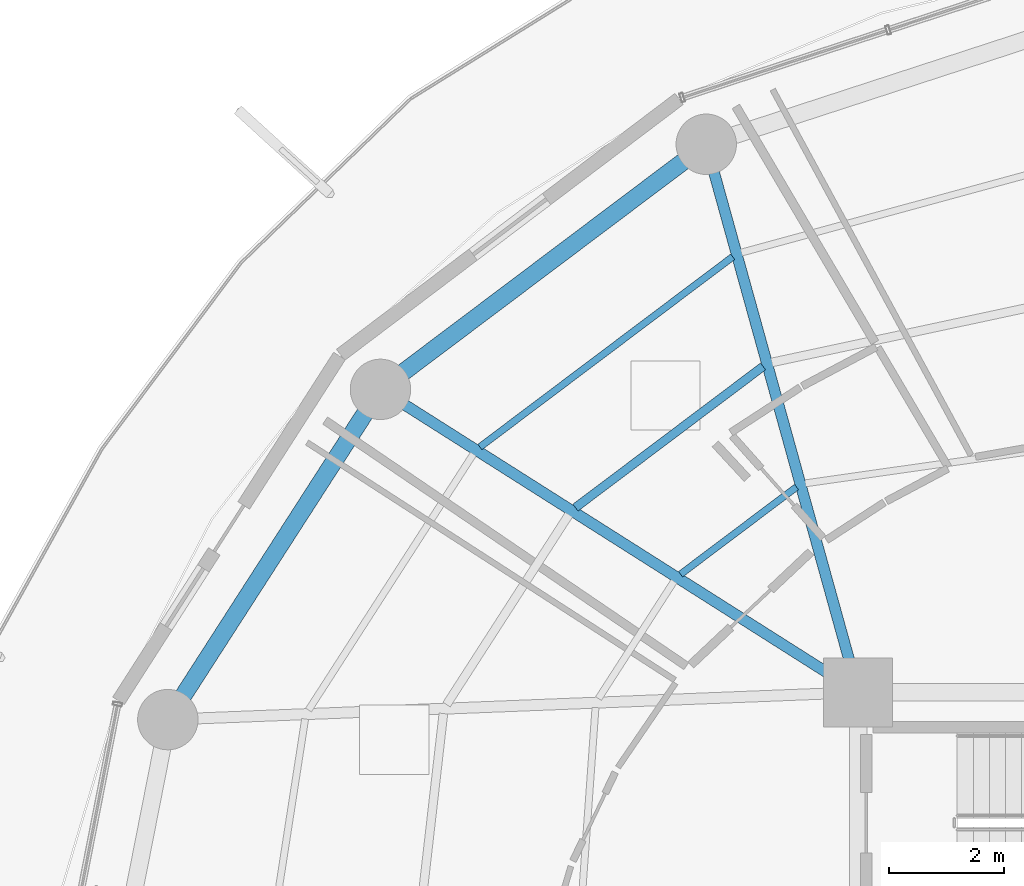
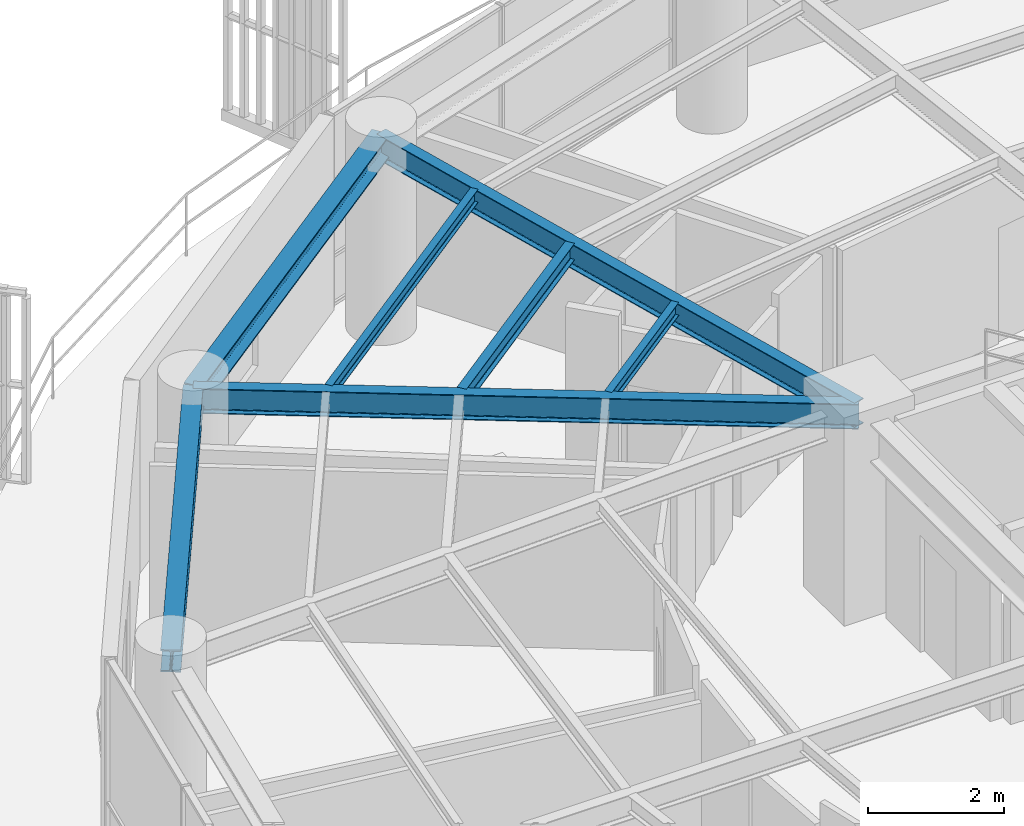
# One storey, part 17 of 31: 7 beams.
"""IFC4 building model written with IfcOpenShell, lengths in metres."""

from ifc_helpers import new_model, si_unit, direction, frame, origin, origin_2d, place, context, subcontext, project, spatial, i_section, extrude, material, material_profile, profile_set, type_object, element, save


model = new_model("IFC4")

# Units and contexts
model_context = context("Model", 3, precision=1e-05, world=origin(), true_north=direction((0.0, 1.0)))
body_context = subcontext(model_context, "Body", "Model", "MODEL_VIEW")
ifc_project = project(units=[si_unit("LENGTHUNIT", "METRE"), si_unit("AREAUNIT", "SQUARE_METRE"), si_unit("VOLUMEUNIT", "CUBIC_METRE"), si_unit("PLANEANGLEUNIT", "RADIAN"), si_unit("MASSUNIT", "GRAM", prefix="KILO")], contexts=[model_context])

# Site, building, storey
site_placement = place(None, origin())
site = spatial("IfcSite", under=ifc_project, at=site_placement, CompositionType="ELEMENT")
building_placement = place(site_placement, origin())
building = spatial("IfcBuilding", under=site, at=building_placement, Name="Kelanora Arch Commons", CompositionType="ELEMENT")
storey_placement = place(building_placement, frame((0.0, 0.0, 193.199951171875)))
storey = spatial("IfcBuildingStorey", under=building, at=storey_placement, Name="L49", CompositionType="ELEMENT", Elevation=193.199951171875)

# Beams
ifc_material = material(Name="Steel S355", Category="steel")
ifc_material_profile_1 = material_profile(ifc_material, i_section(OverallWidth=0.14990234375, OverallDepth=0.300048828125, WebThickness=0.007080078125, FlangeThickness=0.0107421875, FilletRadius=0.014892578125, at=origin_2d()), Name="IPE300")
ifc_profile_set_1 = profile_set([ifc_material_profile_1], Name="Steel S355")
beam_type_1 = type_object("IfcBeamType", Name="BM-JST-01", PredefinedType="JOIST", material=ifc_profile_set_1)
beam_1_placement = place(storey_placement, frame((64.34814453125, 70.6630859375, 3.340087890625), z_axis=(-0.799101708656, -0.601195857624, 0.0), x_axis=(0.601195857624, -0.799101708656, 0.0)))
element("IfcBeam", 1, at=beam_1_placement, inside=storey, type_object=beam_type_1, Name="Secondary Chord Joist BJB-12 L49", PredefinedType="JOIST", context=body_context, shape_type="SweptSolid", body=[
    extrude(i_section(OverallWidth=0.14990234375, OverallDepth=0.300048828125, WebThickness=0.007080078125, FlangeThickness=0.0107421875, FilletRadius=0.014892578125, at=origin_2d()), origin(), (0.0, 0.0, 1.0), 4.080810546875),
])
ifc_material_profile_2 = material_profile(ifc_material, i_section(OverallWidth=0.1201171875, OverallDepth=0.239990234375, WebThickness=0.006103515625, FlangeThickness=0.009765625, FilletRadius=0.014892578125, at=origin_2d()), Name="IPE240")
ifc_profile_set_2 = profile_set([ifc_material_profile_2], Name="Steel S355")
beam_type_2 = type_object("IfcBeamType", Name="BM-JST-02", PredefinedType="JOIST", material=ifc_profile_set_2)
beam_2_placement = place(storey_placement, frame((64.928955078125, 68.56787109375, 3.3701171875), z_axis=(-0.79911638933, -0.601176343766, 0.0), x_axis=(0.601176343766, -0.79911638933, 0.0)))
element("IfcBeam", 2, at=beam_2_placement, inside=storey, type_object=beam_type_2, Name="Secondary Chord Joist BJA-12 L49", PredefinedType="JOIST", context=body_context, shape_type="SweptSolid", body=[
    extrude(i_section(OverallWidth=0.1201171875, OverallDepth=0.239990234375, WebThickness=0.006103515625, FlangeThickness=0.009765625, FilletRadius=0.014892578125, at=origin_2d()), origin(), (0.0, 0.0, 1.0), 2.522216796875),
])
beam_3_placement = place(storey_placement, frame((63.820068359375, 72.56787109375, 3.3701171875), z_axis=(-0.799109197935, -0.601185902842, 0.0), x_axis=(0.601185902842, -0.799109197935, 0.0)))
element("IfcBeam", 3, at=beam_3_placement, inside=storey, type_object=beam_type_2, Name="Secondary Chord Joist BJC-12 L49", PredefinedType="JOIST", context=body_context, shape_type="SweptSolid", body=[
    extrude(i_section(OverallWidth=0.1201171875, OverallDepth=0.239990234375, WebThickness=0.006103515625, FlangeThickness=0.009765625, FilletRadius=0.014892578125, at=origin_2d()), origin(), (0.0, 0.0, 1.0), 5.497802734375),
])
ifc_material_profile_3 = material_profile(ifc_material, i_section(OverallWidth=0.18994140625, OverallDepth=0.449951171875, WebThickness=0.009521484375, FlangeThickness=0.0146484375, FilletRadius=0.02099609375, at=origin_2d()), Name="IPE450")
ifc_profile_set_3 = profile_set([ifc_material_profile_3], Name="Steel S355")
beam_type_3 = type_object("IfcBeamType", Name="BM-RAD-Z4", PredefinedType="BEAM", material=ifc_profile_set_3)
beam_4_placement = place(storey_placement, frame((66.0, 65.0, 3.26513671875), z_axis=(-0.267120164296, 0.963663228429, 0.0), x_axis=(-0.963663228429, -0.267120164296, 0.0)))
element("IfcBeam", 4, at=beam_4_placement, inside=storey, type_object=beam_type_3, Name="Radial Floor Girder BR-12 L49", PredefinedType="BEAM", context=body_context, shape_type="SweptSolid", body=[
    extrude(i_section(OverallWidth=0.18994140625, OverallDepth=0.449951171875, WebThickness=0.009521484375, FlangeThickness=0.0146484375, FilletRadius=0.02099609375, at=origin_2d()), origin(), (0.0, 0.0, 1.0), 9.8828125),
])
beam_5_placement = place(storey_placement, frame((66.0, 65.0, 3.26513671875), z_axis=(-0.844507208607, 0.535544185489, 0.0), x_axis=(-0.535544185489, -0.844507208607, 0.0)))
element("IfcBeam", 5, at=beam_5_placement, inside=storey, type_object=beam_type_3, Name="Radial Floor Girder BR-14 L49", PredefinedType="BEAM", context=body_context, shape_type="SweptSolid", body=[
    extrude(i_section(OverallWidth=0.18994140625, OverallDepth=0.449951171875, WebThickness=0.009521484375, FlangeThickness=0.0146484375, FilletRadius=0.02099609375, at=origin_2d()), origin(), (0.0, 0.0, 1.0), 9.830078125),
])
ifc_material_profile_4 = material_profile(ifc_material, i_section(OverallWidth=0.300048828125, OverallDepth=0.39990234375, WebThickness=0.013427734375, FlangeThickness=0.02392578125, FilletRadius=0.027099609375, at=origin_2d()), Name="HEB400")
ifc_profile_set_4 = profile_set([ifc_material_profile_4], Name="Steel S355")
beam_type_4 = type_object("IfcBeamType", Name="BM-SPN-Z4", PredefinedType="SPANDREL", material=ifc_profile_set_4)
beam_6_placement = place(storey_placement, frame((63.360107421875, 74.523681640625, 3.2900390625), z_axis=(-0.799114211715, -0.60117923836, 0.0), x_axis=(0.60117923836, -0.799114211715, 0.0)))
element("IfcBeam", 6, at=beam_6_placement, inside=storey, type_object=beam_type_4, Name="Perimeter Spandrel Beam BS-12 L49", PredefinedType="SPANDREL", context=body_context, shape_type="SweptSolid", body=[
    extrude(i_section(OverallWidth=0.300048828125, OverallDepth=0.39990234375, WebThickness=0.013427734375, FlangeThickness=0.02392578125, FilletRadius=0.027099609375, at=origin_2d()), origin(), (0.0, 0.0, 1.0), 7.0849609375),
])
beam_7_placement = place(storey_placement, frame((57.698486328125, 70.264404296875, 3.2900390625), z_axis=(-0.541364878868, -0.840787766281, 0.0), x_axis=(0.840787766281, -0.541364878868, 0.0)))
element("IfcBeam", 7, at=beam_7_placement, inside=storey, type_object=beam_type_4, Name="Perimeter Spandrel Beam BS-14 L49", PredefinedType="SPANDREL", context=body_context, shape_type="SweptSolid", body=[
    extrude(i_section(OverallWidth=0.300048828125, OverallDepth=0.39990234375, WebThickness=0.013427734375, FlangeThickness=0.02392578125, FilletRadius=0.027099609375, at=origin_2d()), origin(), (0.0, 0.0, 1.0), 6.825439453125),
])

save(model, "model.ifc")
